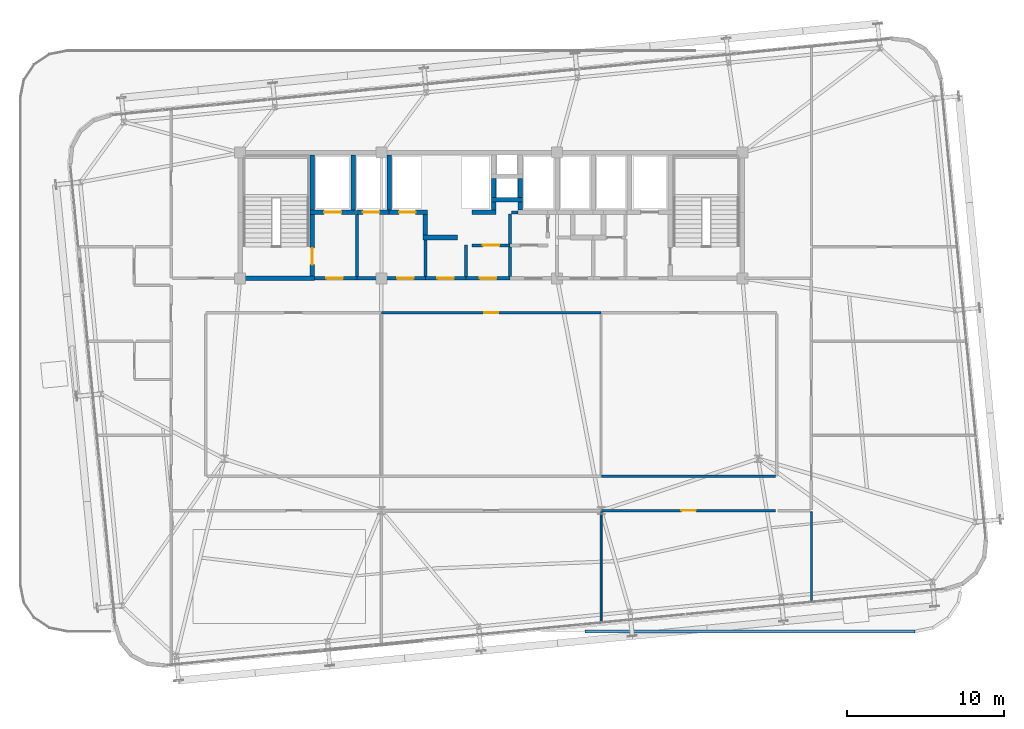
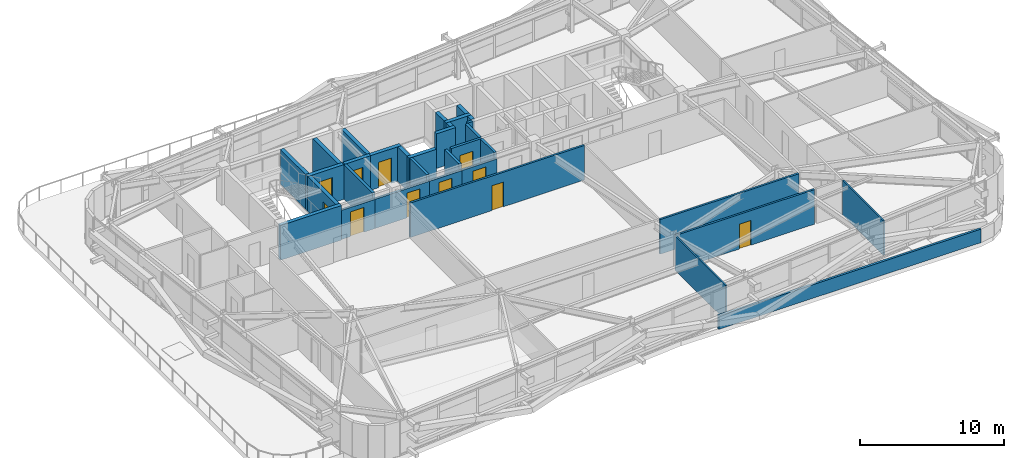
# One storey, part 45 of 51: 33 walls, 11 doors, 11 openings.
"""IFC4 building model written with IfcOpenShell, lengths in metres."""

from ifc_helpers import new_model, si_unit, direction, frame, frame_2d, origin, place, context, subcontext, project, spatial, rectangle, extrude, source, transform, mapped, material, layer, layer_set, type_object, element, fill, save


model = new_model("IFC4")

# Units and contexts
model_context = context("Model", 3, precision=1e-05, world=origin(), true_north=direction((0.0, 1.0)))
body_context = subcontext(model_context, "Body", "Model", "MODEL_VIEW")
ifc_project = project(units=[si_unit("LENGTHUNIT", "METRE"), si_unit("AREAUNIT", "SQUARE_METRE"), si_unit("VOLUMEUNIT", "CUBIC_METRE"), si_unit("PLANEANGLEUNIT", "RADIAN"), si_unit("MASSUNIT", "GRAM", prefix="KILO")], contexts=[model_context])

# Site, building, storey
site_placement = place(None, origin())
site = spatial("IfcSite", under=ifc_project, at=site_placement, CompositionType="ELEMENT")
building_placement = place(site_placement, origin())
building = spatial("IfcBuilding", under=site, at=building_placement, Name="Taldren Reach Tower", CompositionType="ELEMENT")
storey_placement = place(building_placement, frame((0.0, 0.0, 65.10009765625)))
storey = spatial("IfcBuildingStorey", under=building, at=storey_placement, Name="L19", CompositionType="ELEMENT", Elevation=65.10009765625)

# Wall
ifc_material_1 = material(Name="Pale Champagne Anodised Aluminium Cladding", Category="aluminium")
ifc_layer_1 = layer(ifc_material_1, 0.03, Name="Pale Champagne Anodised Aluminium Cladding", Category="aluminium")
ifc_material_2 = material(Name="Concrete N40 (40 MPa)", Category="concrete")
ifc_layer_2 = layer(ifc_material_2, 0.15, Name="Concrete N40 (40 MPa)", Category="concrete")
ifc_layer_set_1 = layer_set([ifc_layer_1, ifc_layer_2], Name="Pale Champagne Aluminium Coping and Concrete 40 MPa (N40) Parapet")
wall_type_1 = type_object("IfcWallType", Name="EW-PAR-180", PredefinedType="PARAPET", material=ifc_layer_set_1)
shared_shape_1 = source(origin(), body_context, "Body", "SweptSolid", [
    extrude(rectangle(XDim=21.0126953125, YDim=0.179931640625, at=frame_2d((10.50634765625, 0.0))), origin(), (0.0, 0.0, 1.0), 1.14990234375),
])
wall_1_placement = place(storey_placement, frame((62.0, 1.5, 0.0), z_axis=(0.0, 0.0, 1.0), x_axis=(-1.0, 0.0, 0.0)))
element("IfcWall", 1, at=wall_1_placement, inside=storey, type_object=wall_type_1, Name="Setback planter parapet wall L19-2.3", PredefinedType="PARAPET", context=body_context, shape_type="MappedRepresentation", body=[
    mapped(shared_shape_1, transform((0.0, 0.0, 0.0), scale=1.0)),
])

# Wall, opening, door
ifc_material_3 = material(Name="Concrete S50 (50 MPa)", Category="concrete")
ifc_layer_3 = layer(ifc_material_3, 0.199951171875)
ifc_layer_set_2 = layer_set([ifc_layer_3], Name="Concrete S50 (50 MPa)")
wall_type_2 = type_object("IfcWallType", Name="IW-CORE-200", PredefinedType="SOLIDWALL", material=ifc_layer_set_2)
shared_shape_2 = source(origin(), body_context, "Body", "SweptSolid", [
    extrude(rectangle(XDim=4.35009765625, YDim=0.199951171875, at=frame_2d((2.175048828125, 0.0))), origin(), (0.0, 0.0, 1.0), 2.469970703125),
])
wall_2_placement = place(storey_placement, frame((30.800048828125, 24.0, 0.0), z_axis=(0.0, 0.0, 1.0), x_axis=(-1.0, 0.0, 0.0)))
wall_2 = element("IfcWall", 2, at=wall_2_placement, inside=storey, type_object=wall_type_2, Name="Rear Core Shear Wall W-INT-L19-034", PredefinedType="SOLIDWALL", context=body_context, shape_type="MappedRepresentation", body=[
    mapped(shared_shape_2, transform((0.0, 0.0, 0.0), scale=1.0)),
])
shared_shape_3 = source(origin(), body_context, "Body", "SweptSolid", [
    extrude(rectangle(XDim=1.050048828125, YDim=2.10009765625, at=frame_2d((0.52490234375, 1.050048828125))), frame((0.0, 0.10986328125, 0.0), z_axis=(0.0, -1.0, 0.0), x_axis=(1.0, 0.0, 0.0)), (0.0, 0.0, 1.0), 0.219970703125),
])
opening_1_placement = place(wall_2_placement, frame((0.75, 0.0, 0.0)))
opening_1 = element("IfcOpeningElement", 3, at=opening_1_placement, cuts=wall_2, Name="Opening DF-105", PredefinedType="OPENING", context=body_context, shape_type="MappedRepresentation", body=[
    mapped(shared_shape_3, transform((0.0, 0.0, 0.0), scale=1.0)),
])
ifc_material_4 = material(Name="Fire-Rated Care and Stair Exit Door")
door_type_1 = type_object("IfcDoorType", Name="ID-FIRE-105", OperationType="NOTDEFINED", PredefinedType="DOOR", material=ifc_material_4)
shared_shape_4 = source(origin(), body_context, "Body", "SweptSolid", [
    extrude(rectangle(XDim=1.050048828125, YDim=2.10009765625, at=frame_2d((0.52490234375, 1.050048828125))), frame((0.0, 0.02490234375, 0.0), z_axis=(0.0, -1.0, 0.0), x_axis=(1.0, 0.0, 0.0)), (0.0, 0.0, 1.0), 0.050048828125),
])
door_1_placement = place(opening_1_placement, frame((1.050048828125, 0.0, 0.0), z_axis=(0.0, 0.0, 1.0), x_axis=(-1.0, 0.0, 0.0)))
door_1 = element("IfcDoor", 4, at=door_1_placement, inside=storey, type_object=door_type_1, Name="Interior Door DR-L19-005", OperationType="SINGLE_SWING_RIGHT", OverallHeight=2.10009765625, OverallWidth=1.050048828125, PredefinedType="DOOR", context=body_context, shape_type="MappedRepresentation", body=[
    mapped(shared_shape_4, transform((0.0, 0.0, 0.0), scale=1.0)),
])
fill(opening_1, door_1)

ifc_material_5 = material(Name="Fire-Rated Acoustic Plasterboard Stud Wall", Category="gypsum")
ifc_layer_4 = layer(ifc_material_5, 0.159912109375)
ifc_layer_set_3 = layer_set([ifc_layer_4], Name="Fire-Rated Acoustic Plasterboard Stud Wall")
wall_type_3 = type_object("IfcWallType", Name="IW-FIRE-160", PredefinedType="PARTITIONING", material=ifc_layer_set_3)
shared_shape_5 = source(origin(), body_context, "Body", "SweptSolid", [
    extrude(rectangle(XDim=13.95947265625, YDim=0.159912109375, at=frame_2d((6.979736328125, 0.0))), origin(), (0.0, 0.0, 1.0), 2.929931640625),
])
wall_3_placement = place(storey_placement, frame((41.979736328125, 21.800048828125, 0.0), z_axis=(0.0, 0.0, 1.0), x_axis=(-1.0, 0.0, 0.0)))
wall_3 = element("IfcWall", 5, at=wall_3_placement, inside=storey, type_object=wall_type_3, Name="Interior Partition Wall W-INT-L19-062", PredefinedType="PARTITIONING", context=body_context, shape_type="MappedRepresentation", body=[
    mapped(shared_shape_5, transform((0.0, 0.0, 0.0), scale=1.0)),
])
shared_shape_6 = source(origin(), body_context, "Body", "SweptSolid", [
    extrude(rectangle(XDim=0.919921875, YDim=2.10009765625, at=frame_2d((0.4599609375, 1.050048828125))), frame((0.0, 0.08984375, 0.0), z_axis=(0.0, -1.0, 0.0), x_axis=(1.0, 0.0, 0.0)), (0.0, 0.0, 1.0), 0.179931640625),
])
opening_2_placement = place(wall_3_placement, frame((6.519775390625, 0.0, 0.0)))
opening_2 = element("IfcOpeningElement", 6, at=opening_2_placement, cuts=wall_3, Name="Opening DI-092", PredefinedType="OPENING", context=body_context, shape_type="MappedRepresentation", body=[
    mapped(shared_shape_6, transform((0.0, 0.0, 0.0), scale=1.0)),
])
ifc_material_6 = material(Name="Solid-Core Timber Suite Door", Category="wood")
door_type_2 = type_object("IfcDoorType", Name="ID-INT-092", OperationType="NOTDEFINED", PredefinedType="DOOR", material=ifc_material_6)
shared_shape_7 = source(origin(), body_context, "Body", "SweptSolid", [
    extrude(rectangle(XDim=0.919921875, YDim=2.10009765625, at=frame_2d((0.4599609375, 1.050048828125))), frame((0.0, 0.02490234375, 0.0), z_axis=(0.0, -1.0, 0.0), x_axis=(1.0, 0.0, 0.0)), (0.0, 0.0, 1.0), 0.050048828125),
])
door_2_placement = place(opening_2_placement, origin())
door_2 = element("IfcDoor", 7, at=door_2_placement, inside=storey, type_object=door_type_2, Name="Interior Door DR-L19-015", OperationType="SINGLE_SWING_RIGHT", OverallHeight=2.10009765625, OverallWidth=0.919921875, PredefinedType="DOOR", context=body_context, shape_type="MappedRepresentation", body=[
    mapped(shared_shape_7, transform((0.0, 0.0, 0.0), scale=1.0)),
])
fill(opening_2, door_2)

# Wall
shared_shape_8 = source(origin(), body_context, "Body", "SweptSolid", [
    extrude(rectangle(XDim=11.099853515625, YDim=0.159912109375, at=frame_2d((5.5498046875, 0.0))), origin(), (0.0, 0.0, 1.0), 2.929931640625),
])
wall_4_placement = place(storey_placement, frame((42.020263671875, 11.39990234375, 0.0), z_axis=(0.0, 0.0, 1.0), x_axis=(1.0, 0.0, 0.0)))
element("IfcWall", 8, at=wall_4_placement, inside=storey, type_object=wall_type_3, Name="Interior Partition Wall W-INT-L19-078", PredefinedType="PARTITIONING", context=body_context, shape_type="MappedRepresentation", body=[
    mapped(shared_shape_8, transform((0.0, 0.0, 0.0), scale=1.0)),
])

# Wall, opening, door
wall_5_placement = place(storey_placement, frame((53.1201171875, 9.199951171875, 0.0), z_axis=(0.0, 0.0, 1.0), x_axis=(-1.0, 0.0, 0.0)))
wall_5 = element("IfcWall", 9, at=wall_5_placement, inside=storey, type_object=wall_type_3, Name="Interior Partition Wall W-INT-L19-081", PredefinedType="PARTITIONING", context=body_context, shape_type="MappedRepresentation", body=[
    mapped(shared_shape_8, transform((0.0, 0.0, 0.0), scale=1.0)),
])
opening_3_placement = place(wall_5_placement, frame((5.08984375, 0.0, 0.0)))
opening_3 = element("IfcOpeningElement", 10, at=opening_3_placement, cuts=wall_5, Name="Opening DI-092", PredefinedType="OPENING", context=body_context, shape_type="MappedRepresentation", body=[
    mapped(shared_shape_6, transform((0.0, 0.0, 0.0), scale=1.0)),
])
door_3_placement = place(opening_3_placement, origin())
door_3 = element("IfcDoor", 11, at=door_3_placement, inside=storey, type_object=door_type_2, Name="Interior Door DR-L19-026", OperationType="SINGLE_SWING_LEFT", OverallHeight=2.10009765625, OverallWidth=0.919921875, PredefinedType="DOOR", context=body_context, shape_type="MappedRepresentation", body=[
    mapped(shared_shape_7, transform((0.0, 0.0, 0.0), scale=1.0)),
])
fill(opening_3, door_3)

# Wall
shared_shape_9 = source(origin(), body_context, "Body", "SweptSolid", [
    extrude(rectangle(XDim=2.02001953125, YDim=0.199951171875, at=frame_2d((1.010009765625, 0.0))), origin(), (0.0, 0.0, 1.0), 2.929931640625),
])
wall_6_placement = place(storey_placement, frame((33.39990234375, 26.1201171875, 0.0), z_axis=(0.0, 0.0, 1.0), x_axis=(0.0, -1.0, 0.0)))
element("IfcWall", 12, at=wall_6_placement, inside=storey, type_object=wall_type_2, Name="Rear Core Shear Wall W-INT-L19-044", PredefinedType="SOLIDWALL", context=body_context, shape_type="MappedRepresentation", body=[
    mapped(shared_shape_9, transform((0.0, 0.0, 0.0), scale=1.0)),
])

# Wall, opening, door
shared_shape_10 = source(origin(), body_context, "Body", "SweptSolid", [
    extrude(rectangle(XDim=2.599853515625, YDim=0.199951171875, at=frame_2d((1.2998046875, 0.0))), origin(), (0.0, 0.0, 1.0), 2.469970703125),
])
wall_7_placement = place(storey_placement, frame((33.39990234375, 24.0, 0.0), z_axis=(0.0, 0.0, 1.0), x_axis=(-1.0, 0.0, 0.0)))
wall_7 = element("IfcWall", 13, at=wall_7_placement, inside=storey, type_object=wall_type_2, Name="Rear Core Shear Wall W-INT-L19-045", PredefinedType="SOLIDWALL", context=body_context, shape_type="MappedRepresentation", body=[
    mapped(shared_shape_10, transform((0.0, 0.0, 0.0), scale=1.0)),
])
opening_4_placement = place(wall_7_placement, frame((0.77490234375, 0.0, 0.0)))
opening_4 = element("IfcOpeningElement", 14, at=opening_4_placement, cuts=wall_7, Name="Opening DF-105", PredefinedType="OPENING", context=body_context, shape_type="MappedRepresentation", body=[
    mapped(shared_shape_3, transform((0.0, 0.0, 0.0), scale=1.0)),
])
door_4_placement = place(opening_4_placement, frame((1.050048828125, 0.0, 0.0), z_axis=(0.0, 0.0, 1.0), x_axis=(-1.0, 0.0, 0.0)))
door_4 = element("IfcDoor", 15, at=door_4_placement, inside=storey, type_object=door_type_1, Name="Interior Door DR-L19-006", OperationType="SINGLE_SWING_RIGHT", OverallHeight=2.10009765625, OverallWidth=1.050048828125, PredefinedType="DOOR", context=body_context, shape_type="MappedRepresentation", body=[
    mapped(shared_shape_4, transform((0.0, 0.0, 0.0), scale=1.0)),
])
fill(opening_4, door_4)

shared_shape_11 = source(origin(), body_context, "Body", "SweptSolid", [
    extrude(rectangle(XDim=2.419921875, YDim=0.199951171875, at=frame_2d((1.2099609375, 0.0))), origin(), (0.0, 0.0, 1.0), 2.929931640625),
])
wall_8_placement = place(storey_placement, frame((33.780029296875, 26.10009765625, 0.0), z_axis=(0.0, 0.0, 1.0), x_axis=(1.0, 0.0, 0.0)))
wall_8 = element("IfcWall", 16, at=wall_8_placement, inside=storey, type_object=wall_type_2, Name="Rear Core Shear Wall W-INT-L19-046", PredefinedType="SOLIDWALL", context=body_context, shape_type="MappedRepresentation", body=[
    mapped(shared_shape_11, transform((0.0, 0.0, 0.0), scale=1.0)),
])
opening_5_placement = place(wall_8_placement, frame((0.68505859375, 0.0, 0.0)))
opening_5 = element("IfcOpeningElement", 17, at=opening_5_placement, cuts=wall_8, Name="Opening DF-105", PredefinedType="OPENING", context=body_context, shape_type="MappedRepresentation", body=[
    mapped(shared_shape_3, transform((0.0, 0.0, 0.0), scale=1.0)),
])
door_5_placement = place(opening_5_placement, origin())
door_5 = element("IfcDoor", 18, at=door_5_placement, inside=storey, type_object=door_type_1, Name="Interior Door DR-L19-007", OperationType="SINGLE_SWING_RIGHT", OverallHeight=2.10009765625, OverallWidth=1.050048828125, PredefinedType="DOOR", context=body_context, shape_type="MappedRepresentation", body=[
    mapped(shared_shape_4, transform((0.0, 0.0, 0.0), scale=1.0)),
])
fill(opening_5, door_5)

# Wall
shared_shape_12 = source(origin(), body_context, "Body", "SweptSolid", [
    extrude(rectangle(XDim=1.89990234375, YDim=0.199951171875, at=frame_2d((0.949951171875, 0.0))), origin(), (0.0, 0.0, 1.0), 2.929931640625),
])
wall_9_placement = place(storey_placement, frame((36.199951171875, 26.0, 0.0), z_axis=(0.0, 0.0, 1.0), x_axis=(0.0, -1.0, 0.0)))
element("IfcWall", 19, at=wall_9_placement, inside=storey, type_object=wall_type_2, Name="Rear Core Shear Wall W-INT-L19-047", PredefinedType="SOLIDWALL", context=body_context, shape_type="MappedRepresentation", body=[
    mapped(shared_shape_12, transform((0.0, 0.0, 0.0), scale=1.0)),
])

# Wall, opening, door
shared_shape_13 = source(origin(), body_context, "Body", "SweptSolid", [
    extrude(rectangle(XDim=2.800048828125, YDim=0.199951171875, at=frame_2d((1.39990234375, 0.0))), origin(), (0.0, 0.0, 1.0), 2.469970703125),
])
wall_10_placement = place(storey_placement, frame((36.199951171875, 24.0, 0.0), z_axis=(0.0, 0.0, 1.0), x_axis=(-1.0, 0.0, 0.0)))
wall_10 = element("IfcWall", 20, at=wall_10_placement, inside=storey, type_object=wall_type_2, Name="Rear Core Shear Wall W-INT-L19-048", PredefinedType="SOLIDWALL", context=body_context, shape_type="MappedRepresentation", body=[
    mapped(shared_shape_13, transform((0.0, 0.0, 0.0), scale=1.0)),
])
opening_6_placement = place(wall_10_placement, frame((0.875, 0.0, 0.0)))
opening_6 = element("IfcOpeningElement", 21, at=opening_6_placement, cuts=wall_10, Name="Opening DF-105", PredefinedType="OPENING", context=body_context, shape_type="MappedRepresentation", body=[
    mapped(shared_shape_3, transform((0.0, 0.0, 0.0), scale=1.0)),
])
door_6_placement = place(opening_6_placement, frame((1.050048828125, 0.0, 0.0), z_axis=(0.0, 0.0, 1.0), x_axis=(-1.0, 0.0, 0.0)))
door_6 = element("IfcDoor", 22, at=door_6_placement, inside=storey, type_object=door_type_1, Name="Interior Door DR-L19-008", OperationType="SINGLE_SWING_RIGHT", OverallHeight=2.10009765625, OverallWidth=1.050048828125, PredefinedType="DOOR", context=body_context, shape_type="MappedRepresentation", body=[
    mapped(shared_shape_4, transform((0.0, 0.0, 0.0), scale=1.0)),
])
fill(opening_6, door_6)

# Walls
shared_shape_14 = source(origin(), body_context, "Body", "SweptSolid", [
    extrude(rectangle(XDim=1.900146484375, YDim=0.199951171875, at=frame_2d((0.9501953125, 0.0))), origin(), (0.0, 0.0, 1.0), 2.929931640625),
])
wall_11_placement = place(storey_placement, frame((36.199951171875, 28.10009765625, 0.0), z_axis=(0.0, 0.0, 1.0), x_axis=(0.0, -1.0, 0.0)))
element("IfcWall", 23, at=wall_11_placement, inside=storey, type_object=wall_type_2, Name="Rear Core Shear Wall W-INT-L19-049", PredefinedType="SOLIDWALL", context=body_context, shape_type="MappedRepresentation", body=[
    mapped(shared_shape_14, transform((0.0, 0.0, 0.0), scale=1.0)),
])
ifc_material_7 = material(Name="Concrete S65 (65 MPa)", Category="concrete")
ifc_layer_5 = layer(ifc_material_7, 0.300048828125)
ifc_layer_set_4 = layer_set([ifc_layer_5], Name="Concrete S65 (65 MPa)")
wall_type_4 = type_object("IfcWallType", Name="IW-CORE-300", PredefinedType="SHEAR", material=ifc_layer_set_4)
shared_shape_15 = source(origin(), body_context, "Body", "SweptSolid", [
    extrude(rectangle(XDim=3.5, YDim=0.300048828125, at=frame_2d((1.75, 0.0))), origin(), (0.0, 0.0, 1.0), 2.929931640625),
])
for number, where, z_axis, x_axis, name in (
    (24, (23.60009765625, 28.35009765625, 0.0), (0.0, 0.0, 1.0), (0.0, 1.0, 0.0), "Rear Core Shear Wall W-INT-L19-001"),
    (25, (26.199951171875, 28.35009765625, 0.0), (0.0, 0.0, 1.0), (0.0, 1.0, 0.0), "Rear Core Shear Wall W-INT-L19-005"),
    (26, (28.5, 28.35009765625, 0.0), (0.0, 0.0, 1.0), (0.0, 1.0, 0.0), "Rear Core Shear Wall W-INT-L19-030"),
):
    element("IfcWall", number, at=place(storey_placement, frame(where, z_axis=z_axis, x_axis=x_axis)), inside=storey, type_object=wall_type_4, Name=name, PredefinedType="SHEAR", context=body_context, shape_type="MappedRepresentation", body=[
        mapped(shared_shape_15, transform((0.0, 0.0, 0.0), scale=1.0)),
    ])

# Wall, opening, door
shared_shape_16 = source(origin(), body_context, "Body", "SweptSolid", [
    extrude(rectangle(XDim=3.900146484375, YDim=0.300048828125, at=frame_2d((1.9501953125, 0.0))), origin(), (0.0, 0.0, 1.0), 2.929931640625),
])
wall_12_placement = place(storey_placement, frame((23.60009765625, 24.14990234375, 0.0), z_axis=(0.0, 0.0, 1.0), x_axis=(0.0, 1.0, 0.0)))
wall_12 = element("IfcWall", 27, at=wall_12_placement, inside=storey, type_object=wall_type_4, Name="Rear Core Shear Wall W-INT-L19-002", PredefinedType="SHEAR", context=body_context, shape_type="MappedRepresentation", body=[
    mapped(shared_shape_16, transform((0.0, 0.0, 0.0), scale=1.0)),
])
shared_shape_17 = source(origin(), body_context, "Body", "SweptSolid", [
    extrude(rectangle(XDim=1.050048828125, YDim=2.10009765625, at=frame_2d((0.52490234375, 1.050048828125))), frame((0.0, 0.16015625, 0.0), z_axis=(0.0, -1.0, 0.0), x_axis=(1.0, 0.0, 0.0)), (0.0, 0.0, 1.0), 0.320068359375),
])
opening_7_placement = place(wall_12_placement, frame((0.72509765625, 0.0, 0.0)))
opening_7 = element("IfcOpeningElement", 28, at=opening_7_placement, cuts=wall_12, Name="Opening DF-105", PredefinedType="OPENING", context=body_context, shape_type="MappedRepresentation", body=[
    mapped(shared_shape_17, transform((0.0, 0.0, 0.0), scale=1.0)),
])
door_7_placement = place(opening_7_placement, origin())
door_7 = element("IfcDoor", 29, at=door_7_placement, inside=storey, type_object=door_type_1, Name="Fire Exit Stair Door DR-L19-001", OperationType="SINGLE_SWING_LEFT", OverallHeight=2.10009765625, OverallWidth=1.050048828125, PredefinedType="DOOR", context=body_context, shape_type="MappedRepresentation", body=[
    mapped(shared_shape_4, transform((0.0, 0.0, 0.0), scale=1.0)),
])
fill(opening_7, door_7)

# Wall
shared_shape_18 = source(origin(), body_context, "Body", "SweptSolid", [
    extrude(rectangle(XDim=4.89990234375, YDim=0.300048828125, at=frame_2d((2.449951171875, 0.0))), origin(), (0.0, 0.0, 1.0), 2.929931640625),
])
wall_13_placement = place(storey_placement, frame((18.85009765625, 24.0, 0.0), z_axis=(0.0, 0.0, 1.0), x_axis=(1.0, 0.0, 0.0)))
element("IfcWall", 30, at=wall_13_placement, inside=storey, type_object=wall_type_4, Name="Rear Core Shear Wall W-INT-L19-003", PredefinedType="SHEAR", context=body_context, shape_type="MappedRepresentation", body=[
    mapped(shared_shape_18, transform((0.0, 0.0, 0.0), scale=1.0)),
])

# Wall, opening, door
shared_shape_19 = source(origin(), body_context, "Body", "SweptSolid", [
    extrude(rectangle(XDim=2.900146484375, YDim=0.300048828125, at=frame_2d((1.4501953125, 0.0))), origin(), (0.0, 0.0, 1.0), 2.929931640625),
])
wall_14_placement = place(storey_placement, frame((23.449951171875, 28.199951171875, 0.0), z_axis=(0.0, 0.0, 1.0), x_axis=(1.0, 0.0, 0.0)))
wall_14 = element("IfcWall", 31, at=wall_14_placement, inside=storey, type_object=wall_type_4, Name="Rear Core Shear Wall W-INT-L19-004", PredefinedType="SHEAR", context=body_context, shape_type="MappedRepresentation", body=[
    mapped(shared_shape_19, transform((0.0, 0.0, 0.0), scale=1.0)),
])
shared_shape_20 = source(origin(), body_context, "Body", "SweptSolid", [
    extrude(rectangle(XDim=1.10009765625, YDim=2.14990234375, at=frame_2d((0.550048828125, 1.074951171875))), frame((0.0, 0.16015625, 0.0), z_axis=(0.0, -1.0, 0.0), x_axis=(1.0, 0.0, 0.0)), (0.0, 0.0, 1.0), 0.320068359375),
])
opening_8_placement = place(wall_14_placement, frame((0.89990234375, 0.0, 0.0)))
opening_8 = element("IfcOpeningElement", 32, at=opening_8_placement, cuts=wall_14, Name="Opening LD-FL1", PredefinedType="OPENING", context=body_context, shape_type="MappedRepresentation", body=[
    mapped(shared_shape_20, transform((0.0, 0.0, 0.0), scale=1.0)),
])
ifc_material_8 = material(Name="Stainless Steel Gr 316 Emergency Lift Landing Door", Category="steel")
door_type_3 = type_object("IfcDoorType", Name="LD-EMG-110", OperationType="SLIDING_TO_LEFT", PredefinedType="DOOR", material=ifc_material_8)
shared_shape_21 = source(origin(), body_context, "Body", "SweptSolid", [
    extrude(rectangle(XDim=1.10009765625, YDim=2.14990234375, at=frame_2d((0.550048828125, 1.074951171875))), frame((0.0, 0.02490234375, 0.0), z_axis=(0.0, -1.0, 0.0), x_axis=(1.0, 0.0, 0.0)), (0.0, 0.0, 1.0), 0.050048828125),
])
door_8_placement = place(opening_8_placement, origin())
door_8 = element("IfcDoor", 33, at=door_8_placement, inside=storey, type_object=door_type_3, Name="Lift Landing Door LD-FL1-L19", OperationType="SLIDING_TO_LEFT", OverallHeight=2.14990234375, OverallWidth=1.10009765625, PredefinedType="DOOR", context=body_context, shape_type="MappedRepresentation", body=[
    mapped(shared_shape_21, transform((0.0, 0.0, 0.0), scale=1.0)),
])
fill(opening_8, door_8)

# Wall
shared_shape_22 = source(origin(), body_context, "Body", "SweptSolid", [
    extrude(rectangle(XDim=3.949951171875, YDim=0.199951171875, at=frame_2d((1.97509765625, 0.0))), origin(), (0.0, 0.0, 1.0), 2.929931640625),
])
wall_15_placement = place(storey_placement, frame((26.449951171875, 24.10009765625, 0.0), z_axis=(0.0, 0.0, 1.0), x_axis=(0.0, 1.0, 0.0)))
element("IfcWall", 34, at=wall_15_placement, inside=storey, type_object=wall_type_2, Name="Rear Core Shear Wall W-INT-L19-006", PredefinedType="SOLIDWALL", context=body_context, shape_type="MappedRepresentation", body=[
    mapped(shared_shape_22, transform((0.0, 0.0, 0.0), scale=1.0)),
])

# Wall, opening, door
shared_shape_23 = source(origin(), body_context, "Body", "SweptSolid", [
    extrude(rectangle(XDim=2.699951171875, YDim=0.199951171875, at=frame_2d((1.35009765625, 0.0))), origin(), (0.0, 0.0, 1.0), 2.469970703125),
])
wall_16_placement = place(storey_placement, frame((23.75, 24.0, 0.0), z_axis=(0.0, 0.0, 1.0), x_axis=(1.0, 0.0, 0.0)))
wall_16 = element("IfcWall", 35, at=wall_16_placement, inside=storey, type_object=wall_type_2, Name="Rear Core Shear Wall W-INT-L19-007", PredefinedType="SOLIDWALL", context=body_context, shape_type="MappedRepresentation", body=[
    mapped(shared_shape_23, transform((0.0, 0.0, 0.0), scale=1.0)),
])
opening_9_placement = place(wall_16_placement, frame((0.75, 0.0, 0.0)))
opening_9 = element("IfcOpeningElement", 36, at=opening_9_placement, cuts=wall_16, Name="Opening DF-105", PredefinedType="OPENING", context=body_context, shape_type="MappedRepresentation", body=[
    mapped(shared_shape_3, transform((0.0, 0.0, 0.0), scale=1.0)),
])
door_9_placement = place(opening_9_placement, origin())
door_9 = element("IfcDoor", 37, at=door_9_placement, inside=storey, type_object=door_type_1, Name="Interior Door DR-L19-002", OperationType="SINGLE_SWING_LEFT", OverallHeight=2.10009765625, OverallWidth=1.050048828125, PredefinedType="DOOR", context=body_context, shape_type="MappedRepresentation", body=[
    mapped(shared_shape_4, transform((0.0, 0.0, 0.0), scale=1.0)),
])
fill(opening_9, door_9)

# Walls
shared_shape_24 = source(origin(), body_context, "Body", "SweptSolid", [
    extrude(rectangle(XDim=2.0, YDim=0.300048828125, at=frame_2d((1.0, 0.0))), origin(), (0.0, 0.0, 1.0), 2.929931640625),
])
wall_17_placement = place(storey_placement, frame((35.0, 29.0, 0.0), z_axis=(0.0, 0.0, 1.0), x_axis=(1.0, 0.0, 0.0)))
element("IfcWall", 38, at=wall_17_placement, inside=storey, type_object=wall_type_4, Name="Rear Core Shear Wall W-INT-L19-021", PredefinedType="SHEAR", context=body_context, shape_type="MappedRepresentation", body=[
    mapped(shared_shape_24, transform((0.0, 0.0, 0.0), scale=1.0)),
])
shared_shape_25 = source(origin(), body_context, "Body", "SweptSolid", [
    extrude(rectangle(XDim=1.2001953125, YDim=0.300048828125, at=frame_2d((0.60009765625, 0.0))), origin(), (0.0, 0.0, 1.0), 2.929931640625),
])
for number, where, z_axis, x_axis, name in (
    (39, (35.14990234375, 30.35009765625, 0.0), (0.0, 0.0, 1.0), (0.0, -1.0, 0.0), "Rear Core Shear Wall W-INT-L19-019"),
    (40, (36.85009765625, 29.14990234375, 0.0), (0.0, 0.0, 1.0), (0.0, 1.0, 0.0), "Rear Core Shear Wall W-INT-L19-020"),
):
    element("IfcWall", number, at=place(storey_placement, frame(where, z_axis=z_axis, x_axis=x_axis)), inside=storey, type_object=wall_type_4, Name=name, PredefinedType="SHEAR", context=body_context, shape_type="MappedRepresentation", body=[
        mapped(shared_shape_25, transform((0.0, 0.0, 0.0), scale=1.0)),
    ])
shared_shape_26 = source(origin(), body_context, "Body", "SweptSolid", [
    extrude(rectangle(XDim=1.300048828125, YDim=0.300048828125, at=frame_2d((0.64990234375, 0.0))), origin(), (0.0, 0.0, 1.0), 2.929931640625),
])
wall_18_placement = place(storey_placement, frame((30.800048828125, 28.050048828125, 0.0), z_axis=(0.0, 0.0, 1.0), x_axis=(0.0, -1.0, 0.0)))
element("IfcWall", 41, at=wall_18_placement, inside=storey, type_object=wall_type_4, Name="Rear Core Shear Wall W-INT-L19-022", PredefinedType="SHEAR", context=body_context, shape_type="MappedRepresentation", body=[
    mapped(shared_shape_26, transform((0.0, 0.0, 0.0), scale=1.0)),
])
shared_shape_27 = source(origin(), body_context, "Body", "SweptSolid", [
    extrude(rectangle(XDim=2.2001953125, YDim=0.300048828125, at=frame_2d((1.10009765625, 0.0))), origin(), (0.0, 0.0, 1.0), 2.929931640625),
])
wall_19_placement = place(storey_placement, frame((30.64990234375, 26.60009765625, 0.0), z_axis=(0.0, 0.0, 1.0), x_axis=(1.0, 0.0, 0.0)))
element("IfcWall", 42, at=wall_19_placement, inside=storey, type_object=wall_type_4, Name="Rear Core Shear Wall W-INT-L19-023", PredefinedType="SHEAR", context=body_context, shape_type="MappedRepresentation", body=[
    mapped(shared_shape_27, transform((0.0, 0.0, 0.0), scale=1.0)),
])

# Wall, opening, door
shared_shape_28 = source(origin(), body_context, "Body", "SweptSolid", [
    extrude(rectangle(XDim=2.070068359375, YDim=0.300048828125, at=frame_2d((1.03515625, 0.0))), origin(), (0.0, 0.0, 1.0), 2.929931640625),
])
wall_20_placement = place(storey_placement, frame((26.429931640625, 28.199951171875, 0.0), z_axis=(0.0, 0.0, 1.0), x_axis=(1.0, 0.0, 0.0)))
wall_20 = element("IfcWall", 43, at=wall_20_placement, inside=storey, type_object=wall_type_4, Name="Rear Core Shear Wall W-INT-L19-031", PredefinedType="SHEAR", context=body_context, shape_type="MappedRepresentation", body=[
    mapped(shared_shape_28, transform((0.0, 0.0, 0.0), scale=1.0)),
])
shared_shape_29 = source(origin(), body_context, "Body", "SweptSolid", [
    extrude(rectangle(XDim=1.050048828125, YDim=2.14990234375, at=frame_2d((0.52490234375, 1.074951171875))), frame((0.0, 0.16015625, 0.0), z_axis=(0.0, -1.0, 0.0), x_axis=(1.0, 0.0, 0.0)), (0.0, 0.0, 1.0), 0.320068359375),
])
opening_10_placement = place(wall_20_placement, frame((0.39501953125, 0.0, 0.0)))
opening_10 = element("IfcOpeningElement", 44, at=opening_10_placement, cuts=wall_20, Name="Opening LD-PL1", PredefinedType="OPENING", context=body_context, shape_type="MappedRepresentation", body=[
    mapped(shared_shape_29, transform((0.0, 0.0, 0.0), scale=1.0)),
])
ifc_material_9 = material(Name="Stainless Steel Gr 316 Passenger Lift Landing Door", Category="steel")
door_type_4 = type_object("IfcDoorType", Name="LD-PAS-105", OperationType="SLIDING_TO_LEFT", PredefinedType="DOOR", material=ifc_material_9)
shared_shape_30 = source(origin(), body_context, "Body", "SweptSolid", [
    extrude(rectangle(XDim=1.050048828125, YDim=2.14990234375, at=frame_2d((0.52490234375, 1.074951171875))), frame((0.0, 0.02490234375, 0.0), z_axis=(0.0, -1.0, 0.0), x_axis=(1.0, 0.0, 0.0)), (0.0, 0.0, 1.0), 0.050048828125),
])
door_10_placement = place(opening_10_placement, origin())
door_10 = element("IfcDoor", 45, at=door_10_placement, inside=storey, type_object=door_type_4, Name="Lift Landing Door LD-PL1-L19", OperationType="SLIDING_TO_LEFT", OverallHeight=2.14990234375, OverallWidth=1.050048828125, PredefinedType="DOOR", context=body_context, shape_type="MappedRepresentation", body=[
    mapped(shared_shape_30, transform((0.0, 0.0, 0.0), scale=1.0)),
])
fill(opening_10, door_10)

shared_shape_31 = source(origin(), body_context, "Body", "SweptSolid", [
    extrude(rectangle(XDim=2.449951171875, YDim=0.300048828125, at=frame_2d((1.22509765625, 0.0))), origin(), (0.0, 0.0, 1.0), 2.929931640625),
])
wall_21_placement = place(storey_placement, frame((28.5, 28.199951171875, 0.0), z_axis=(0.0, 0.0, 1.0), x_axis=(1.0, 0.0, 0.0)))
wall_21 = element("IfcWall", 46, at=wall_21_placement, inside=storey, type_object=wall_type_4, Name="Rear Core Shear Wall W-INT-L19-032", PredefinedType="SHEAR", context=body_context, shape_type="MappedRepresentation", body=[
    mapped(shared_shape_31, transform((0.0, 0.0, 0.0), scale=1.0)),
])
opening_11_placement = place(wall_21_placement, frame((0.625, 0.0, 0.0)))
opening_11 = element("IfcOpeningElement", 47, at=opening_11_placement, cuts=wall_21, Name="Opening LD-PL2", PredefinedType="OPENING", context=body_context, shape_type="MappedRepresentation", body=[
    mapped(shared_shape_29, transform((0.0, 0.0, 0.0), scale=1.0)),
])
door_11_placement = place(opening_11_placement, origin())
door_11 = element("IfcDoor", 48, at=door_11_placement, inside=storey, type_object=door_type_4, Name="Lift Landing Door LD-PL2-L19", OperationType="SLIDING_TO_LEFT", OverallHeight=2.14990234375, OverallWidth=1.050048828125, PredefinedType="DOOR", context=body_context, shape_type="MappedRepresentation", body=[
    mapped(shared_shape_30, transform((0.0, 0.0, 0.0), scale=1.0)),
])
fill(opening_11, door_11)

# Walls
shared_shape_32 = source(origin(), body_context, "Body", "SweptSolid", [
    extrude(rectangle(XDim=2.349853515625, YDim=0.199951171875, at=frame_2d((1.1748046875, 0.0))), origin(), (0.0, 0.0, 1.0), 2.929931640625),
])
wall_22_placement = place(storey_placement, frame((30.800048828125, 26.449951171875, 0.0), z_axis=(0.0, 0.0, 1.0), x_axis=(0.0, -1.0, 0.0)))
element("IfcWall", 49, at=wall_22_placement, inside=storey, type_object=wall_type_2, Name="Rear Core Shear Wall W-INT-L19-033", PredefinedType="SOLIDWALL", context=body_context, shape_type="MappedRepresentation", body=[
    mapped(shared_shape_32, transform((0.0, 0.0, 0.0), scale=1.0)),
])
shared_shape_33 = source(origin(), body_context, "Body", "SweptSolid", [
    extrude(rectangle(XDim=1.52001953125, YDim=0.300048828125, at=frame_2d((0.760009765625, 0.0))), origin(), (0.0, 0.0, 1.0), 2.929931640625),
])
wall_23_placement = place(storey_placement, frame((33.780029296875, 28.199951171875, 0.0), z_axis=(0.0, 0.0, 1.0), x_axis=(1.0, 0.0, 0.0)))
element("IfcWall", 50, at=wall_23_placement, inside=storey, type_object=wall_type_4, Name="Rear Core Shear Wall W-INT-L19-035", PredefinedType="SHEAR", context=body_context, shape_type="MappedRepresentation", body=[
    mapped(shared_shape_33, transform((0.0, 0.0, 0.0), scale=1.0)),
])
shared_shape_34 = source(origin(), body_context, "Body", "SweptSolid", [
    extrude(rectangle(XDim=0.5, YDim=0.300048828125, at=frame_2d((0.25, 0.0))), origin(), (0.0, 0.0, 1.0), 2.929931640625),
])
for number, where, z_axis, x_axis, name in (
    (51, (35.14990234375, 28.35009765625, 0.0), (0.0, 0.0, 1.0), (0.0, 1.0, 0.0), "Rear Core Shear Wall W-INT-L19-036"),
    (52, (36.85009765625, 28.85009765625, 0.0), (0.0, 0.0, 1.0), (0.0, -1.0, 0.0), "Rear Core Shear Wall W-INT-L19-038"),
):
    element("IfcWall", number, at=place(storey_placement, frame(where, z_axis=z_axis, x_axis=x_axis)), inside=storey, type_object=wall_type_4, Name=name, PredefinedType="SHEAR", context=body_context, shape_type="MappedRepresentation", body=[
        mapped(shared_shape_34, transform((0.0, 0.0, 0.0), scale=1.0)),
    ])
shared_shape_35 = source(origin(), body_context, "Body", "SweptSolid", [
    extrude(rectangle(XDim=0.39990234375, YDim=0.199951171875, at=frame_2d((0.199951171875, 0.0))), origin(), (0.0, 0.0, 1.0), 2.929931640625),
])
wall_24_placement = place(storey_placement, frame((36.699951171875, 28.199951171875, 0.0), z_axis=(0.0, 0.0, 1.0), x_axis=(-1.0, 0.0, 0.0)))
element("IfcWall", 53, at=wall_24_placement, inside=storey, type_object=wall_type_2, Name="Rear Core Shear Wall W-INT-L19-050", PredefinedType="SOLIDWALL", context=body_context, shape_type="MappedRepresentation", body=[
    mapped(shared_shape_35, transform((0.0, 0.0, 0.0), scale=1.0)),
])
ifc_material_10 = material(Name="Insulated Residential Stud Partition", Category="gypsum")
ifc_layer_6 = layer(ifc_material_10, 0.1201171875)
ifc_layer_set_5 = layer_set([ifc_layer_6], Name="Insulated Residential Stud Partition")
wall_type_5 = type_object("IfcWallType", Name="IW-PART-120", PredefinedType="PARTITIONING", material=ifc_layer_set_5)
shared_shape_36 = source(origin(), body_context, "Body", "SweptSolid", [
    extrude(rectangle(XDim=6.97607421875, YDim=0.1201171875, at=frame_2d((3.488037109375, 0.0))), origin(), (0.0, 0.0, 1.0), 2.929931640625),
])
wall_25_placement = place(storey_placement, frame((42.0, 9.1201171875, 0.0), z_axis=(0.0, 0.0, 1.0), x_axis=(0.0, -1.0, 0.0)))
element("IfcWall", 54, at=wall_25_placement, inside=storey, type_object=wall_type_5, Name="Interior Partition Wall W-INT-L19-086", PredefinedType="PARTITIONING", context=body_context, shape_type="MappedRepresentation", body=[
    mapped(shared_shape_36, transform((0.0, 0.0, 0.0), scale=1.0)),
])
shared_shape_37 = source(origin(), body_context, "Body", "SweptSolid", [
    extrude(rectangle(XDim=5.662109375, YDim=0.1201171875, at=frame_2d((2.8310546875, 0.0))), origin(), (0.0, 0.0, 1.0), 2.929931640625),
])
wall_26_placement = place(storey_placement, frame((55.39990234375, 9.1201171875, 0.0), z_axis=(0.0, 0.0, 1.0), x_axis=(0.0, -1.0, 0.0)))
element("IfcWall", 55, at=wall_26_placement, inside=storey, type_object=wall_type_5, Name="Interior Partition Wall W-INT-L19-087", PredefinedType="PARTITIONING", context=body_context, shape_type="MappedRepresentation", body=[
    mapped(shared_shape_37, transform((0.0, 0.0, 0.0), scale=1.0)),
])

save(model, "model.ifc")
